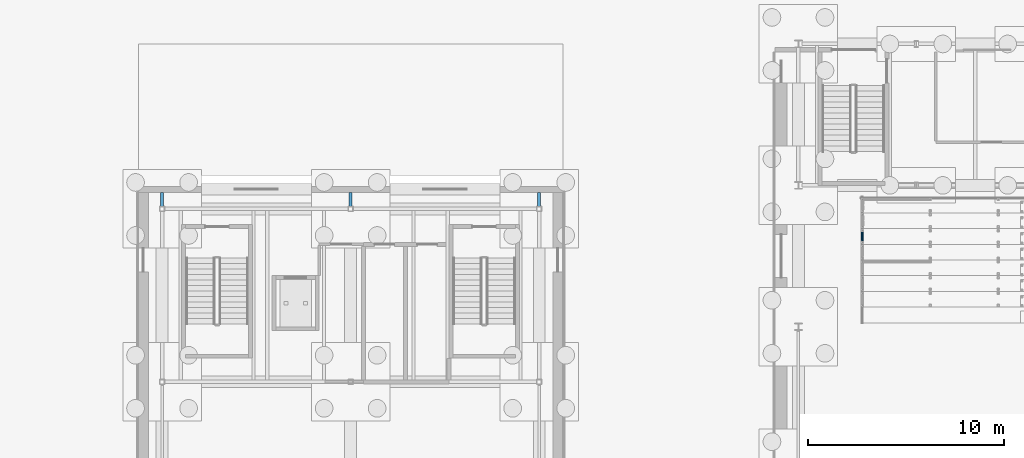
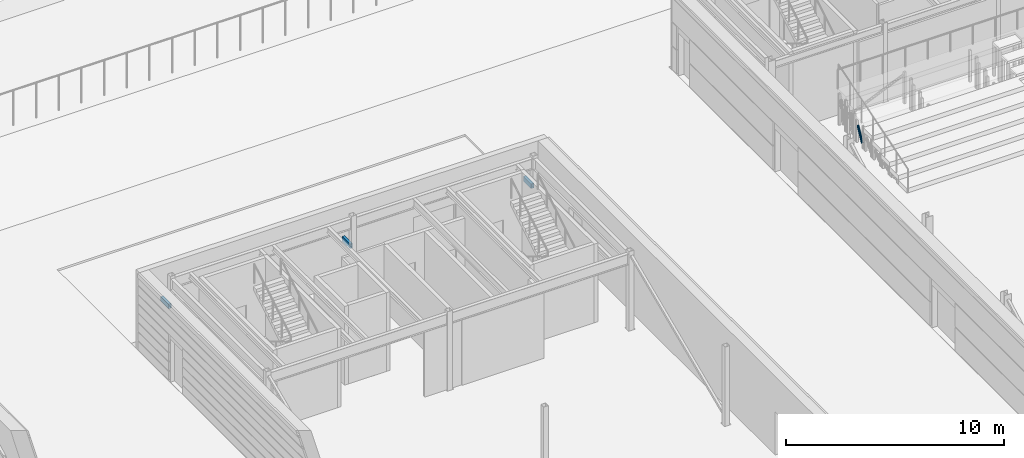
# One storey, part 67 of 139: 3 beams, 1 member.
"""IFC4 building model written with IfcOpenShell, lengths in metres."""

from ifc_helpers import new_model, si_unit, direction, frame, origin, origin_2d, place, context, subcontext, project, spatial, hollow_rectangle, hollow_circle, extrude, material, material_profile, profile_set, type_object, element, save


model = new_model("IFC4")

# Units and contexts
model_context = context("Model", 3, precision=1e-05, world=origin(), true_north=direction((0.0, 1.0)))
body_context = subcontext(model_context, "Body", "Model", "MODEL_VIEW")
ifc_project = project(units=[si_unit("LENGTHUNIT", "METRE"), si_unit("AREAUNIT", "SQUARE_METRE"), si_unit("VOLUMEUNIT", "CUBIC_METRE"), si_unit("PLANEANGLEUNIT", "RADIAN"), si_unit("MASSUNIT", "GRAM", prefix="KILO")], contexts=[model_context])

# Site, building, storey
site_placement = place(None, origin())
site = spatial("IfcSite", under=ifc_project, at=site_placement, CompositionType="ELEMENT")
building_placement = place(site_placement, origin())
building = spatial("IfcBuilding", under=site, at=building_placement, Name="Verrick Yard Athletic Hall", CompositionType="ELEMENT")
storey_placement = place(building_placement, origin())
storey = spatial("IfcBuildingStorey", under=building, at=storey_placement, Name="L00", CompositionType="ELEMENT", Elevation=0.0)

# Beams
ifc_material = material(Name="Structural steel HSS Class C 350W (CSA G40.20/G40.21)", Category="steel")
ifc_material_profile_1 = material_profile(ifc_material, hollow_rectangle(XDim=0.15234375, YDim=0.25390625, WallThickness=0.009521484375, at=origin_2d()), Name="HSS254x152x9.5")
ifc_profile_set_1 = profile_set([ifc_material_profile_1], Name="Structural steel HSS Class C 350W (CSA G40.20/G40.21)")
beam_type = type_object("IfcBeamType", Name="HB buttress strut HSS254x152x9.5", PredefinedType="BEAM", material=ifc_profile_set_1)
for number, where, z_axis, x_axis, name in (
    (1, (89.199951171875, 99.72705078125, 2.550048828125), (0.0, 1.0, 0.0), (-1.0, 0.0, 0.0), "HB-BU-C1-1"),
    (2, (98.800048828125, 99.72705078125, 2.550048828125), (0.0, 1.0, 0.0), (-1.0, 0.0, 0.0), "HB-BU-C2-1"),
    (3, (108.39990234375, 99.72705078125, 2.550048828125), (0.0, 1.0, 0.0), (-1.0, 0.0, 0.0), "HB-BU-C3-1"),
):
    element("IfcBeam", number, at=place(storey_placement, frame(where, z_axis=z_axis, x_axis=x_axis)), inside=storey, type_object=beam_type, Name=name, PredefinedType="BEAM", context=body_context, shape_type="SweptSolid", body=[
        extrude(hollow_rectangle(XDim=0.15234375, YDim=0.25390625, WallThickness=0.009521484375, at=origin_2d()), origin(), (0.0, 0.0, 1.0), 0.722900390625),
    ])

# Member
ifc_material_profile_2 = material_profile(ifc_material, hollow_circle(Radius=0.05712890625, WallThickness=0.00634765625, at=origin_2d()), Name="HSS114x6.4")
ifc_profile_set_2 = profile_set([ifc_material_profile_2], Name="Structural steel HSS Class C 350W (CSA G40.20/G40.21)")
member_type = type_object("IfcMemberType", Name="HB roof brace HSS114x6.4", PredefinedType="BRACE", material=ifc_profile_set_2)
member_placement = place(storey_placement, frame((124.850830078125, 98.00146484375, 0.24658203125), z_axis=(0.0, 0.464721937925, 0.885456673367), x_axis=(-1.0, 0.0, 0.0)))
element("IfcMember", 4, at=member_placement, inside=storey, type_object=member_type, Name="HB-BRS-RSA1-a6", PredefinedType="BRACE", context=body_context, shape_type="SweptSolid", body=[
    extrude(hollow_circle(Radius=0.05712890625, WallThickness=0.00634765625, at=origin_2d()), origin(), (0.0, 0.0, 1.0), 0.854736328125),
])

save(model, "model.ifc")
